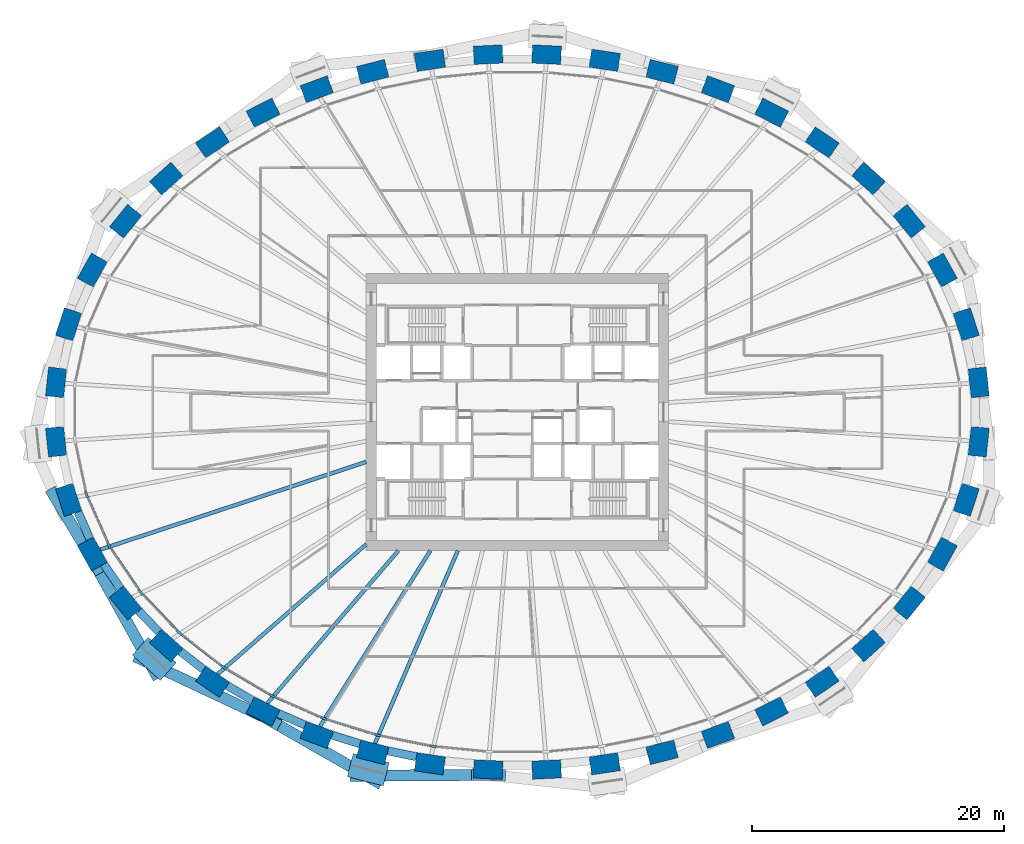
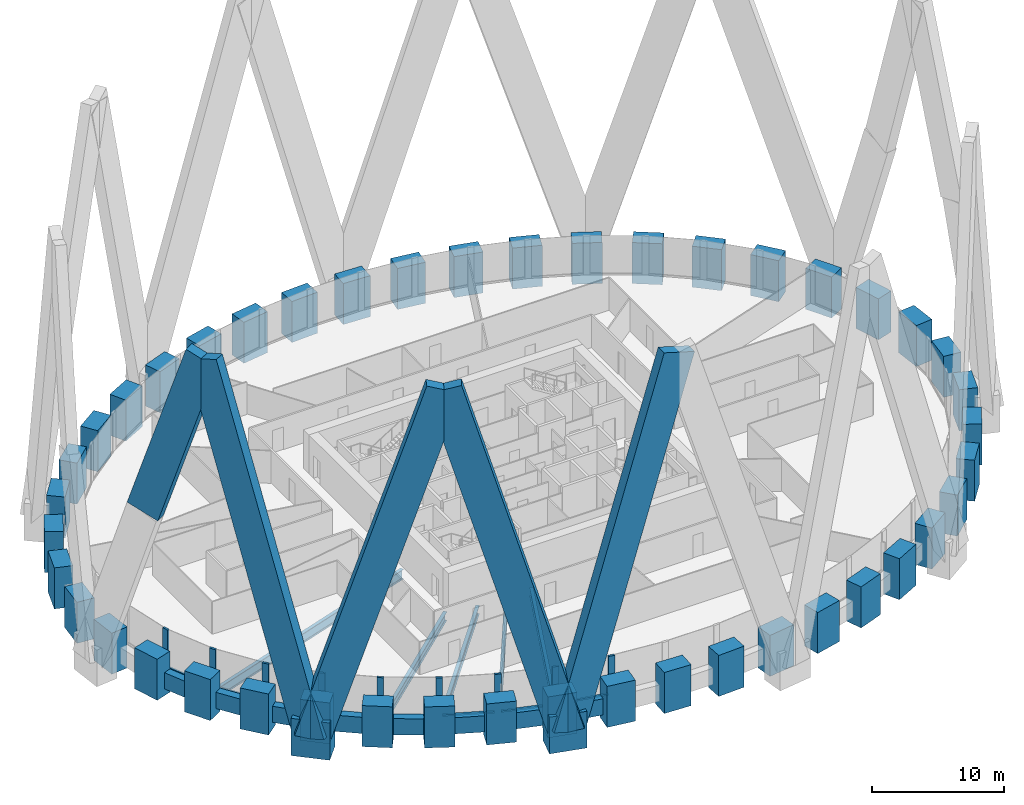
# One storey, part 1 of 12: 44 columns, 24 members, 13 beams, 1 element without a shape of its own.
"""IFC4 building model written with IfcOpenShell, lengths in metres."""

import ifcopenshell
import ifcopenshell.guid

model = None  # the IFC model being written
_history = None  # IfcOwnerHistory: only IFC2X3 demands one
_inside = {}  # id of a spatial element -> (the spatial element, [elements in it])
_under = {}  # id of a project, library or spatial element -> (it, [spatial elements below it])
_declared = {}  # id of a project -> (the project, [libraries it declares])
_typed = {}  # id of a type object -> (the type object, [elements of that type])
_made_of = {}  # id of a material, layer set ... -> (it, [elements and type objects made of it])


def new_model(schema):
    """Start an empty IFC model of exactly this schema.

    Asked for "IFC4X3", IfcOpenShell would pick the latest addendum, in which some entities
    have other attributes; the version numbers below select the first issue.
    IFC2X3 requires an IfcOwnerHistory on every rooted entity: one is made here for all.
    """
    global model, _history
    if schema == "IFC4X3":
        model = ifcopenshell.file(schema_version=(4, 3, 0, 0))
    else:
        model = ifcopenshell.file(schema=schema)
    _inside.clear()
    _under.clear()
    _declared.clear()
    _typed.clear()
    _made_of.clear()
    _history = None
    if model.schema == "IFC2X3":
        org = make("IfcOrganization", Name="unknown")
        user = make(
            "IfcPersonAndOrganization",
            ThePerson=make("IfcPerson", FamilyName="unknown"),
            TheOrganization=org,
        )
        app = make(
            "IfcApplication",
            ApplicationDeveloper=org,
            Version="unknown",
            ApplicationFullName="unknown",
            ApplicationIdentifier="unknown",
        )
        _history = make(
            "IfcOwnerHistory",
            OwningUser=user,
            OwningApplication=app,
            ChangeAction="ADDED",
            CreationDate=0,
        )
    return model


def make(cls, **values):
    """One entity of the class cls with the attributes given. An attribute that is None is left unset."""
    return model.create_entity(
        cls, **{name: value for name, value in values.items() if value is not None}
    )


def rooted(cls, **values):
    """An entity with a GlobalId (a new one), such as an element, a storey or a relation."""
    return make(cls, GlobalId=ifcopenshell.guid.new(), OwnerHistory=_history, **values)


def si_unit(unit_type, name, prefix=None):
    """IfcSIUnit, for example si_unit("LENGTHUNIT", "METRE", prefix="MILLI")."""
    return make("IfcSIUnit", UnitType=unit_type, Prefix=prefix, Name=name)


def assignment(units):
    """IfcUnitAssignment: the units of a project."""
    return None if units is None else make("IfcUnitAssignment", Units=units)


def point(xyz):
    """IfcCartesianPoint."""
    return None if xyz is None else make("IfcCartesianPoint", Coordinates=xyz)


def direction(xyz):
    """IfcDirection."""
    return None if xyz is None else make("IfcDirection", DirectionRatios=xyz)


def frame(location, z_axis=None, x_axis=None):
    """IfcAxis2Placement3D, a coordinate frame: its origin and axes. An axis left out is left unset."""
    return make(
        "IfcAxis2Placement3D",
        Location=point(location),
        Axis=direction(z_axis),
        RefDirection=direction(x_axis),
    )


def frame_2d(location, x_axis=None):
    """IfcAxis2Placement2D, a coordinate frame in the plane: its origin and x axis."""
    return make(
        "IfcAxis2Placement2D", Location=point(location), RefDirection=direction(x_axis)
    )


def origin():
    """The frame at (0, 0, 0) with its axes left unset."""
    return frame((0.0, 0.0, 0.0))


def origin_2d():
    """The frame at (0, 0) in the plane with its x axis left unset."""
    return frame_2d((0.0, 0.0))


def place(relative_to, where):
    """IfcLocalPlacement: puts the frame where relative to a parent placement (None: the world)."""
    return make(
        "IfcLocalPlacement", PlacementRelTo=relative_to, RelativePlacement=where
    )


def context(
    kind, dimensions, precision=None, world=None, true_north=None, identifier=None
):
    """IfcGeometricRepresentationContext, for example the 3D "Model" context."""
    return make(
        "IfcGeometricRepresentationContext",
        ContextIdentifier=identifier,
        ContextType=kind,
        CoordinateSpaceDimension=dimensions,
        Precision=precision,
        WorldCoordinateSystem=world,
        TrueNorth=true_north,
    )


def subcontext(parent, identifier, kind, view, scale=None):
    """IfcGeometricRepresentationSubContext, for example "Body" below "Model"."""
    return make(
        "IfcGeometricRepresentationSubContext",
        ContextIdentifier=identifier,
        ContextType=kind,
        ParentContext=parent,
        TargetScale=scale,
        TargetView=view,
    )


def project(units=None, contexts=None):
    """IfcProject with its units and contexts."""
    return rooted(
        "IfcProject",
        Name="project",
        RepresentationContexts=contexts,
        UnitsInContext=assignment(units),
    )


def spatial(cls, under=None, at=None, **own):
    """A site, building, storey or space (cls), placed at a placement, below another one or the project."""
    s = rooted(cls, ObjectPlacement=at, **own)
    if under is not None:
        _under.setdefault(under.id(), (under, []))[1].append(s)
    return s


def profile(cls, at=None, kind="AREA", **sizes):
    """A parametric profile (cls). Its sizes go by their IFC names, for example OverallWidth=200.0."""
    return make(cls, ProfileType=kind, Position=at, **sizes)


def rectangle(**sizes):
    """IfcRectangleProfileDef."""
    return profile("IfcRectangleProfileDef", **sizes)


def i_section(**sizes):
    """IfcIShapeProfileDef."""
    return profile("IfcIShapeProfileDef", **sizes)


def extrude(swept, where, along, depth):
    """IfcExtrudedAreaSolid: the profile swept, set in the frame where, extruded along a direction by depth."""
    return make(
        "IfcExtrudedAreaSolid",
        SweptArea=swept,
        Position=where,
        ExtrudedDirection=direction(along),
        Depth=depth,
    )


def shape(context_of_items, identifier, shape_type, items):
    """IfcShapeRepresentation: the items that make up one representation, for example the "Body"."""
    return make(
        "IfcShapeRepresentation",
        ContextOfItems=context_of_items,
        RepresentationIdentifier=identifier,
        RepresentationType=shape_type,
        Items=items,
    )


def source(mapping_origin, context_of_items, identifier, shape_type, items):
    """IfcRepresentationMap: a shape defined once, which mapped items show again and again."""
    return make(
        "IfcRepresentationMap",
        MappingOrigin=mapping_origin,
        MappedRepresentation=shape(context_of_items, identifier, shape_type, items),
    )


def transform(
    local_origin,
    x_axis=None,
    y_axis=None,
    z_axis=None,
    scale=None,
    scale2=None,
    scale3=None,
    uniform=True,
):
    """IfcCartesianTransformationOperator3D, or its non-uniform kind. x_axis, y_axis, z_axis: its Axis1, 2, 3."""
    if uniform:
        return make(
            "IfcCartesianTransformationOperator3D",
            Axis1=direction(x_axis),
            Axis2=direction(y_axis),
            LocalOrigin=point(local_origin),
            Scale=scale,
            Axis3=direction(z_axis),
        )
    return make(
        "IfcCartesianTransformationOperator3DnonUniform",
        Axis1=direction(x_axis),
        Axis2=direction(y_axis),
        LocalOrigin=point(local_origin),
        Scale=scale,
        Axis3=direction(z_axis),
        Scale2=scale2,
        Scale3=scale3,
    )


def mapped(mapping_source, mapping_target):
    """IfcMappedItem: shows the shape of a source again, moved by a transform."""
    return make(
        "IfcMappedItem", MappingSource=mapping_source, MappingTarget=mapping_target
    )


def material(Name=None, Category=None):
    """IfcMaterial."""
    return make("IfcMaterial", Name=Name, Category=Category)


def material_profile(
    of_material, cross_section, Name=None, Category=None, Priority=None
):
    """IfcMaterialProfile: a cross section and its material."""
    return make(
        "IfcMaterialProfile",
        Name=Name,
        Material=of_material,
        Profile=cross_section,
        Priority=Priority,
        Category=Category,
    )


def profile_set(profiles, Name=None, composite=None):
    """IfcMaterialProfileSet."""
    return make(
        "IfcMaterialProfileSet",
        Name=Name,
        MaterialProfiles=profiles,
        CompositeProfile=composite,
    )


def made_of(thing, what):
    """Note that an element or type object is made of a material, layer set ...; save() writes the relation."""
    if what is not None:
        _made_of.setdefault(what.id(), (what, []))[1].append(thing)
    return thing


def type_object(cls, material=None, **own):
    """A type object (cls), such as IfcWallType, which elements share."""
    return made_of(rooted(cls, **own), material)


def element(
    cls,
    number,
    at=None,
    inside=None,
    cuts=None,
    type_object=None,
    material=None,
    context=None,
    identifier="Body",
    shape_type=None,
    held_by="IfcProductDefinitionShape",
    body=None,
    shapes=None,
    **own,
):
    """One element of the class cls, such as IfcWall. Its Tag is "e" and its number.

    at: its placement. inside: the storey or other place that contains it. cuts: it is an
    opening in that element (IfcRelVoidsElement). A single representation is given by context,
    identifier, shape_type and body (its items); several are given by shapes. held_by: the class
    of the entity that holds the representations. save() writes the other relations.
    """
    e = rooted(cls, Tag="e%d" % number, ObjectPlacement=at, **own)
    if body is not None:
        shapes = [shape(context, identifier, shape_type, body)]
    if shapes is not None:
        e.Representation = make(held_by, Representations=shapes)
    if inside is not None:
        _inside.setdefault(inside.id(), (inside, []))[1].append(e)
    if cuts is not None:
        rooted(
            "IfcRelVoidsElement", RelatingBuildingElement=cuts, RelatedOpeningElement=e
        )
    if type_object is not None:
        _typed.setdefault(type_object.id(), (type_object, []))[1].append(e)
    return made_of(e, material)


def aggregate(whole, parts):
    """IfcRelAggregates: a whole, such as a stair, and the parts it consists of."""
    return rooted("IfcRelAggregates", RelatingObject=whole, RelatedObjects=parts)


def save(model, path):
    """Write the relations noted so far, then the file.

    IfcRelAggregates (storeys below a building ...), IfcRelContainedInSpatialStructure (elements
    in a storey), IfcRelDefinesByType, IfcRelAssociatesMaterial and IfcRelDeclares: one each for
    every whole, place, type object, material and project.
    """
    for whole, parts in _under.values():
        aggregate(whole, parts)
    for where, things in _inside.values():
        rooted(
            "IfcRelContainedInSpatialStructure",
            RelatedElements=things,
            RelatingStructure=where,
        )
    for kind, things in _typed.values():
        rooted("IfcRelDefinesByType", RelatedObjects=things, RelatingType=kind)
    for what, things in _made_of.values():
        rooted("IfcRelAssociatesMaterial", RelatedObjects=things, RelatingMaterial=what)
    for by, libraries in _declared.values():
        rooted("IfcRelDeclares", RelatingContext=by, RelatedDefinitions=libraries)
    model.write(path)


model = new_model("IFC4")

# Units and contexts
model_context = context("Model", 3, precision=1e-05, world=origin(), true_north=direction((0.0, 1.0)))
body_context = subcontext(model_context, "Body", "Model", "MODEL_VIEW")
ifc_project = project(units=[si_unit("LENGTHUNIT", "METRE"), si_unit("AREAUNIT", "SQUARE_METRE"), si_unit("VOLUMEUNIT", "CUBIC_METRE"), si_unit("PLANEANGLEUNIT", "RADIAN"), si_unit("MASSUNIT", "GRAM", prefix="KILO")], contexts=[model_context])

# Site, building, storey
site_placement = place(None, origin())
site = spatial("IfcSite", under=ifc_project, at=site_placement, CompositionType="ELEMENT")
building_placement = place(site_placement, origin())
building = spatial("IfcBuilding", under=site, at=building_placement, Name="Embergate Tower", CompositionType="ELEMENT")
storey_placement = place(building_placement, frame((0.0, 0.0, 191.10009765625)))
storey = spatial("IfcBuildingStorey", under=building, at=storey_placement, Name="L43", CompositionType="ELEMENT", Elevation=191.10009765625)

# Columns
ifc_material_1 = material(Name="Concrete C70", Category="concrete")
ifc_material_profile_1 = material_profile(ifc_material_1, rectangle(XDim=1.449951171875, YDim=2.300048828125, at=origin_2d()), Name="RC 1450x2300")
ifc_profile_set_1 = profile_set([ifc_material_profile_1], Name="Concrete C70")
column_type = type_object("IfcColumnType", Name="Ring column RC 1450x2300 C70", PredefinedType="COLUMN", material=ifc_profile_set_1)
shared_shape_1 = source(origin(), body_context, "Body", "SweptSolid", [
    extrude(rectangle(XDim=1.449951171875, YDim=2.300048828125, at=origin_2d()), origin(), (0.0, 0.0, 1.0), 3.800048828125),
])
for number, where, z_axis, x_axis, name in (
    (1, (36.626953125, 2.35791015625, -1.400146484375), (0.0, 0.0, 1.0), (0.99428589498, 0.106749983816, 0.0), "COL-L43-00"),
    (2, (35.635009765625, 6.966064453125, -1.400146484375), (0.0, 0.0, 1.0), (0.950754033697, 0.309946394413, 0.0), "COL-L43-01"),
    (3, (33.74609375, 11.27294921875, -1.400146484375), (0.0, 0.0, 1.0), (0.873500465855, 0.486823311018, 0.0), "COL-L43-02"),
    (4, (31.10888671875, 15.152099609375, -1.400146484375), (0.0, 0.0, 1.0), (0.775925311702, 0.630824786022, 0.0), "COL-L43-03"),
    (5, (27.8798828125, 18.5380859375, -1.400146484375), (0.0, 0.0, 1.0), (0.669208424634, 0.74307475021, 0.0), "COL-L43-04"),
    (6, (24.200927734375, 21.409912109375, -1.400146484375), (0.0, 0.0, 1.0), (0.560393279442, 0.828226643109, 0.0), "COL-L43-05"),
    (7, (20.18603515625, 23.77099609375, -1.400146484375), (0.0, 0.0, 1.0), (0.453010512651, 0.891505174089, 0.0), "COL-L43-06"),
    (8, (15.925048828125, 25.634033203125, -1.400146484375), (0.0, 0.0, 1.0), (0.348343015724, 0.93736713373, 0.0), "COL-L43-07"),
    (9, (11.489013671875, 27.01611328125, -1.400146484375), (0.0, 0.0, 1.0), (0.24650851817, 0.969140624713, 0.0), "COL-L43-08"),
    (10, (6.93798828125, 27.927978515625, -1.400146484375), (0.0, 0.0, 1.0), (0.146929011949, 0.989147039346, 0.0), "COL-L43-09"),
    (11, (2.320068359375, 28.382080078125, -1.400146484375), (0.0, 0.0, 1.0), (0.048814904854, 0.998807841912, 0.0), "COL-L43-10"),
    (12, (-2.320068359375, 28.382080078125, -1.400146484375), (0.0, 0.0, 1.0), (-0.048814904854, 0.998807841912, 0.0), "COL-L43-11"),
    (13, (-6.93798828125, 27.927978515625, -1.400146484375), (0.0, 0.0, 1.0), (-0.146929011949, 0.989147039346, 0.0), "COL-L43-12"),
    (14, (-11.489013671875, 27.01611328125, -1.400146484375), (0.0, 0.0, 1.0), (-0.24650851817, 0.969140624713, 0.0), "COL-L43-13"),
    (15, (-15.925048828125, 25.634033203125, -1.400146484375), (0.0, 0.0, 1.0), (-0.348343015724, 0.93736713373, 0.0), "COL-L43-14"),
    (16, (-20.18603515625, 23.77099609375, -1.400146484375), (0.0, 0.0, 1.0), (-0.453010512651, 0.891505174089, 0.0), "COL-L43-15"),
    (17, (-24.200927734375, 21.409912109375, -1.400146484375), (0.0, 0.0, 1.0), (-0.560393279442, 0.828226643109, 0.0), "COL-L43-16"),
    (18, (-27.8798828125, 18.5380859375, -1.400146484375), (0.0, 0.0, 1.0), (-0.669208424634, 0.74307475021, 0.0), "COL-L43-17"),
    (19, (-31.10888671875, 15.152099609375, -1.400146484375), (0.0, 0.0, 1.0), (-0.775925311702, 0.630824786022, 0.0), "COL-L43-18"),
    (20, (-33.74609375, 11.27294921875, -1.400146484375), (0.0, 0.0, 1.0), (-0.873500465855, 0.486823311018, 0.0), "COL-L43-19"),
    (21, (-35.635009765625, 6.966064453125, -1.400146484375), (0.0, 0.0, 1.0), (-0.950754033697, 0.309946394413, 0.0), "COL-L43-20"),
    (22, (-36.626953125, 2.35791015625, -1.400146484375), (0.0, 0.0, 1.0), (-0.99428589498, 0.106749983816, 0.0), "COL-L43-21"),
    (23, (-36.626953125, -2.35791015625, -1.400146484375), (0.0, 0.0, 1.0), (-0.99428589498, -0.106749983816, 0.0), "COL-L43-22"),
    (24, (-35.635009765625, -6.966064453125, -1.400146484375), (0.0, 0.0, 1.0), (-0.950754033697, -0.309946394413, 0.0), "COL-L43-23"),
    (25, (-33.74609375, -11.27294921875, -1.400146484375), (0.0, 0.0, 1.0), (-0.873500465855, -0.486823311018, 0.0), "COL-L43-24"),
    (26, (-31.10888671875, -15.152099609375, -1.400146484375), (0.0, 0.0, 1.0), (-0.775925311702, -0.630824786022, 0.0), "COL-L43-25"),
    (27, (-27.8798828125, -18.5380859375, -1.400146484375), (0.0, 0.0, 1.0), (-0.669208424634, -0.74307475021, 0.0), "COL-L43-26"),
    (28, (-24.200927734375, -21.409912109375, -1.400146484375), (0.0, 0.0, 1.0), (-0.560393279442, -0.828226643109, 0.0), "COL-L43-27"),
    (29, (-20.18603515625, -23.77099609375, -1.400146484375), (0.0, 0.0, 1.0), (-0.453010512651, -0.891505174089, 0.0), "COL-L43-28"),
    (30, (-15.925048828125, -25.634033203125, -1.400146484375), (0.0, 0.0, 1.0), (-0.348343015724, -0.93736713373, 0.0), "COL-L43-29"),
    (31, (-11.489013671875, -27.01611328125, -1.400146484375), (0.0, 0.0, 1.0), (-0.24650851817, -0.969140624713, 0.0), "COL-L43-30"),
    (32, (-6.93798828125, -27.927978515625, -1.400146484375), (0.0, 0.0, 1.0), (-0.146929011949, -0.989147039346, 0.0), "COL-L43-31"),
    (33, (-2.320068359375, -28.382080078125, -1.400146484375), (0.0, 0.0, 1.0), (-0.048814904854, -0.998807841912, 0.0), "COL-L43-32"),
    (34, (2.320068359375, -28.382080078125, -1.400146484375), (0.0, 0.0, 1.0), (0.048814904854, -0.998807841912, 0.0), "COL-L43-33"),
    (35, (6.93798828125, -27.927978515625, -1.400146484375), (0.0, 0.0, 1.0), (0.146929011949, -0.989147039346, 0.0), "COL-L43-34"),
    (36, (11.489013671875, -27.01611328125, -1.400146484375), (0.0, 0.0, 1.0), (0.24650851817, -0.969140624713, 0.0), "COL-L43-35"),
    (37, (15.925048828125, -25.634033203125, -1.400146484375), (0.0, 0.0, 1.0), (0.348343015724, -0.93736713373, 0.0), "COL-L43-36"),
    (38, (20.18603515625, -23.77099609375, -1.400146484375), (0.0, 0.0, 1.0), (0.453010512651, -0.891505174089, 0.0), "COL-L43-37"),
    (39, (24.200927734375, -21.409912109375, -1.400146484375), (0.0, 0.0, 1.0), (0.560393279442, -0.828226643109, 0.0), "COL-L43-38"),
    (40, (27.8798828125, -18.5380859375, -1.400146484375), (0.0, 0.0, 1.0), (0.669208424634, -0.74307475021, 0.0), "COL-L43-39"),
    (41, (31.10888671875, -15.152099609375, -1.400146484375), (0.0, 0.0, 1.0), (0.775925311702, -0.630824786022, 0.0), "COL-L43-40"),
    (42, (33.74609375, -11.27294921875, -1.400146484375), (0.0, 0.0, 1.0), (0.873500465855, -0.486823311018, 0.0), "COL-L43-41"),
    (43, (35.635009765625, -6.966064453125, -1.400146484375), (0.0, 0.0, 1.0), (0.950754033697, -0.309946394413, 0.0), "COL-L43-42"),
    (44, (36.626953125, -2.35791015625, -1.400146484375), (0.0, 0.0, 1.0), (0.99428589498, -0.106749983816, 0.0), "COL-L43-43"),
):
    element("IfcColumn", number, at=place(storey_placement, frame(where, z_axis=z_axis, x_axis=x_axis)), inside=storey, type_object=column_type, Name=name, PredefinedType="COLUMN", context=body_context, shape_type="MappedRepresentation", body=[
        mapped(shared_shape_1, transform((0.0, 0.0, 0.0))),
    ])

# Beams
ifc_material_profile_2 = material_profile(ifc_material_1, rectangle(XDim=0.64990234375, YDim=1.5, at=origin_2d()), Name="RC 650x1500")
ifc_profile_set_2 = profile_set([ifc_material_profile_2], Name="Concrete C70")
beam_type_1 = type_object("IfcBeamType", Name="Spandrel beam RC 650x1500 C70", PredefinedType="BEAM", material=ifc_profile_set_2)
shared_shape_2 = source(origin(), body_context, "Body", "SweptSolid", [
    extrude(rectangle(XDim=0.64990234375, YDim=1.5, at=origin_2d()), origin(), (0.0, 0.0, 1.0), 2.3349609375),
])
beam_1_placement = place(storey_placement, frame((-34.887939453125, -7.931884765625, 0.0), z_axis=(0.401729187016, -0.915758516368, 0.0), x_axis=(0.915758516368, 0.401729187016, 0.0)))
element("IfcBeam", 45, at=beam_1_placement, inside=storey, type_object=beam_type_1, Name="SPN-L43-23", PredefinedType="BEAM", context=body_context, shape_type="MappedRepresentation", body=[
    mapped(shared_shape_2, transform((0.0, 0.0, 0.0))),
])
shared_shape_3 = source(origin(), body_context, "Body", "SweptSolid", [
    extrude(rectangle(XDim=0.64990234375, YDim=1.5, at=origin_2d()), origin(), (0.0, 0.0, 1.0), 2.329345703125),
])
beam_2_placement = place(storey_placement, frame((-32.8359375, -12.0830078125, 0.0), z_axis=(0.562416089232, -0.826854366, 0.0), x_axis=(0.826854366, 0.562416089232, 0.0)))
element("IfcBeam", 46, at=beam_2_placement, inside=storey, type_object=beam_type_1, Name="SPN-L43-24", PredefinedType="BEAM", context=body_context, shape_type="MappedRepresentation", body=[
    mapped(shared_shape_3, transform((0.0, 0.0, 0.0))),
])
shared_shape_4 = source(origin(), body_context, "Body", "SweptSolid", [
    extrude(rectangle(XDim=0.64990234375, YDim=1.5, at=origin_2d()), origin(), (0.0, 0.0, 1.0), 2.322265625),
])
beam_3_placement = place(storey_placement, frame((-30.06591796875, -15.785888671875, 0.0), z_axis=(0.690300694886, -0.723522598569, 0.0), x_axis=(0.723522598569, 0.690300694886, 0.0)))
element("IfcBeam", 47, at=beam_3_placement, inside=storey, type_object=beam_type_1, Name="SPN-L43-25", PredefinedType="BEAM", context=body_context, shape_type="MappedRepresentation", body=[
    mapped(shared_shape_4, transform((0.0, 0.0, 0.0))),
])
shared_shape_5 = source(origin(), body_context, "Body", "SweptSolid", [
    extrude(rectangle(XDim=0.64990234375, YDim=1.5, at=origin_2d()), origin(), (0.0, 0.0, 1.0), 2.31787109375),
])
beam_4_placement = place(storey_placement, frame((-26.758056640625, -19.010009765625, 0.0), z_axis=(0.788324506127, -0.615259679354, 0.0), x_axis=(0.615259679354, 0.788324506127, 0.0)))
element("IfcBeam", 48, at=beam_4_placement, inside=storey, type_object=beam_type_1, Name="SPN-L43-26", PredefinedType="BEAM", context=body_context, shape_type="MappedRepresentation", body=[
    mapped(shared_shape_5, transform((0.0, 0.0, 0.0))),
])
shared_shape_6 = source(origin(), body_context, "Body", "SweptSolid", [
    extrude(rectangle(XDim=0.64990234375, YDim=1.5, at=origin_2d()), origin(), (0.0, 0.0, 1.0), 2.31298828125),
])
beam_5_placement = place(storey_placement, frame((-23.029052734375, -21.72998046875, 0.0), z_axis=(0.86210510292, -0.506729505279, 0.0), x_axis=(0.506729505279, 0.86210510292, 0.0)))
element("IfcBeam", 49, at=beam_5_placement, inside=storey, type_object=beam_type_1, Name="SPN-L43-27", PredefinedType="BEAM", context=body_context, shape_type="MappedRepresentation", body=[
    mapped(shared_shape_6, transform((0.0, 0.0, 0.0))),
])
shared_shape_7 = source(origin(), body_context, "Body", "SweptSolid", [
    extrude(rectangle(XDim=0.64990234375, YDim=1.5, at=origin_2d()), origin(), (0.0, 0.0, 1.0), 2.30810546875),
])
beam_6_placement = place(storey_placement, frame((-18.97705078125, -23.929931640625, 0.0), z_axis=(0.91635386748, -0.40036931645, 0.0), x_axis=(0.40036931645, 0.91635386748, 0.0)))
element("IfcBeam", 50, at=beam_6_placement, inside=storey, type_object=beam_type_1, Name="SPN-L43-28", PredefinedType="BEAM", context=body_context, shape_type="MappedRepresentation", body=[
    mapped(shared_shape_7, transform((0.0, 0.0, 0.0))),
])
shared_shape_8 = source(origin(), body_context, "Body", "SweptSolid", [
    extrude(rectangle(XDim=0.64990234375, YDim=1.5, at=origin_2d()), origin(), (0.0, 0.0, 1.0), 2.306640625),
])
beam_7_placement = place(storey_placement, frame((-14.70703125, -25.657958984375, 0.0), z_axis=(0.954743281812, -0.297431111074, 0.0), x_axis=(0.297431111074, 0.954743281812, 0.0)))
element("IfcBeam", 51, at=beam_7_placement, inside=storey, type_object=beam_type_1, Name="SPN-L43-29", PredefinedType="BEAM", context=body_context, shape_type="MappedRepresentation", body=[
    mapped(shared_shape_8, transform((0.0, 0.0, 0.0))),
])
shared_shape_9 = source(origin(), body_context, "Body", "SweptSolid", [
    extrude(rectangle(XDim=0.64990234375, YDim=1.5, at=origin_2d()), origin(), (0.0, 0.0, 1.0), 2.3037109375),
])
beam_8_placement = place(storey_placement, frame((-10.27587890625, -26.9130859375, 0.0), z_axis=(0.980486815957, -0.196584851232, 0.0), x_axis=(0.196584851232, 0.980486815957, 0.0)))
element("IfcBeam", 52, at=beam_8_placement, inside=storey, type_object=beam_type_1, Name="SPN-L43-30", PredefinedType="BEAM", context=body_context, shape_type="MappedRepresentation", body=[
    mapped(shared_shape_9, transform((0.0, 0.0, 0.0))),
])
ifc_material_2 = material(Name="Steel Q355B", Category="steel")
ifc_material_profile_3 = material_profile(ifc_material_2, i_section(OverallWidth=0.300048828125, OverallDepth=0.89990234375, WebThickness=0.01611328125, FlangeThickness=0.028076171875, FilletRadius=0.028076171875, at=origin_2d()), Name="HN 900x300x16x28")
ifc_profile_set_3 = profile_set([ifc_material_profile_3], Name="Steel Q355 grade B")
beam_type_2 = type_object("IfcBeamType", Name="Radial girder HN 900x300x16x28", PredefinedType="BEAM", material=ifc_profile_set_3)
shared_shape_10 = source(origin(), body_context, "Body", "SweptSolid", [
    extrude(i_section(OverallWidth=0.300048828125, OverallDepth=0.89990234375, WebThickness=0.01611328125, FlangeThickness=0.028076171875, FilletRadius=0.028076171875, at=origin_2d()), origin(), (0.0, 0.0, 1.0), 22.2314453125),
])
beam_9_placement = place(storey_placement, frame((-33.113037109375, -10.919921875, -0.650146484375), z_axis=(0.949687686315, 0.313198496903, 0.0), x_axis=(-0.313198496903, 0.949687686315, 0.0)))
element("IfcBeam", 53, at=beam_9_placement, inside=storey, type_object=beam_type_2, Name="GIR-L43-24", PredefinedType="BEAM", context=body_context, shape_type="MappedRepresentation", body=[
    mapped(shared_shape_10, transform((0.0, 0.0, 0.0))),
])
ifc_material_profile_4 = material_profile(ifc_material_2, i_section(OverallWidth=0.300048828125, OverallDepth=0.800048828125, WebThickness=0.013916015625, FlangeThickness=0.02587890625, FilletRadius=0.028076171875, at=origin_2d()), Name="HN 800x300x14x26")
ifc_profile_set_4 = profile_set([ifc_material_profile_4], Name="Steel Q355 grade B")
beam_type_3 = type_object("IfcBeamType", Name="Radial girder HN 800x300x14x26", PredefinedType="BEAM", material=ifc_profile_set_4)
shared_shape_11 = source(origin(), body_context, "Body", "SweptSolid", [
    extrude(i_section(OverallWidth=0.300048828125, OverallDepth=0.800048828125, WebThickness=0.013916015625, FlangeThickness=0.02587890625, FilletRadius=0.028076171875, at=origin_2d()), origin(), (0.0, 0.0, 1.0), 15.6689453125),
])
beam_10_placement = place(storey_placement, frame((-23.794921875, -20.81005859375, -0.60009765625), z_axis=(0.752754264338, 0.658301615919, 0.0), x_axis=(-0.658301615919, 0.752754264338, 0.0)))
element("IfcBeam", 54, at=beam_10_placement, inside=storey, type_object=beam_type_3, Name="GIR-L43-27", PredefinedType="BEAM", context=body_context, shape_type="MappedRepresentation", body=[
    mapped(shared_shape_11, transform((0.0, 0.0, 0.0))),
])
shared_shape_12 = source(origin(), body_context, "Body", "SweptSolid", [
    extrude(i_section(OverallWidth=0.300048828125, OverallDepth=0.800048828125, WebThickness=0.013916015625, FlangeThickness=0.02587890625, FilletRadius=0.028076171875, at=origin_2d()), origin(), (0.0, 0.0, 1.0), 15.98193359375),
])
beam_11_placement = place(storey_placement, frame((-19.85791015625, -23.125, -0.60009765625), z_axis=(0.651476732158, 0.758668615047, 0.0), x_axis=(-0.758668615047, 0.651476732158, 0.0)))
element("IfcBeam", 55, at=beam_11_placement, inside=storey, type_object=beam_type_3, Name="GIR-L43-28", PredefinedType="BEAM", context=body_context, shape_type="MappedRepresentation", body=[
    mapped(shared_shape_12, transform((0.0, 0.0, 0.0))),
])
shared_shape_13 = source(origin(), body_context, "Body", "SweptSolid", [
    extrude(i_section(OverallWidth=0.300048828125, OverallDepth=0.800048828125, WebThickness=0.013916015625, FlangeThickness=0.02587890625, FilletRadius=0.028076171875, at=origin_2d()), origin(), (0.0, 0.0, 1.0), 16.47802734375),
])
beam_12_placement = place(storey_placement, frame((-15.672119140625, -24.9541015625, -0.60009765625), z_axis=(0.531867473593, 0.846827603786, 0.0), x_axis=(-0.846827603786, 0.531867473593, 0.0)))
element("IfcBeam", 56, at=beam_12_placement, inside=storey, type_object=beam_type_3, Name="GIR-L43-29", PredefinedType="BEAM", context=body_context, shape_type="MappedRepresentation", body=[
    mapped(shared_shape_13, transform((0.0, 0.0, 0.0))),
])
shared_shape_14 = source(origin(), body_context, "Body", "SweptSolid", [
    extrude(i_section(OverallWidth=0.300048828125, OverallDepth=0.800048828125, WebThickness=0.013916015625, FlangeThickness=0.02587890625, FilletRadius=0.028076171875, at=origin_2d()), origin(), (0.0, 0.0, 1.0), 16.667724609375),
])
beam_13_placement = place(storey_placement, frame((-11.31005859375, -26.31298828125, -0.60009765625), z_axis=(0.394898441687, 0.918724779655, 0.0), x_axis=(-0.918724779655, 0.394898441687, 0.0)))
element("IfcBeam", 57, at=beam_13_placement, inside=storey, type_object=beam_type_3, Name="GIR-L43-30", PredefinedType="BEAM", context=body_context, shape_type="MappedRepresentation", body=[
    mapped(shared_shape_14, transform((0.0, 0.0, 0.0))),
])

# Members
ifc_material_profile_5 = material_profile(ifc_material_1, rectangle(XDim=1.89990234375, YDim=3.0, at=origin_2d()), Name="RC 1900x3000")
ifc_profile_set_5 = profile_set([ifc_material_profile_5], Name="Concrete C70")
member_type_1 = type_object("IfcMemberType", Name="Lattice node block RC 1900x3000", PredefinedType="POST", material=ifc_profile_set_5)
shared_shape_15 = source(origin(), body_context, "Body", "SweptSolid", [
    extrude(rectangle(XDim=1.89990234375, YDim=3.0, at=origin_2d()), origin(), (0.0, 0.0, 1.0), 3.449951171875),
])
member_1_placement = place(storey_placement, frame((-28.833984375, -19.596923828125, -1.72509765625), z_axis=(0.0, 0.0, 1.0), x_axis=(-0.669208424634, -0.74307475021, 0.0)))
element("IfcMember", 58, at=member_1_placement, inside=storey, type_object=member_type_1, Name="NOD-L43-26", PredefinedType="POST", context=body_context, shape_type="MappedRepresentation", body=[
    mapped(shared_shape_15, transform((0.0, 0.0, 0.0))),
])
ifc_material_profile_6 = material_profile(ifc_material_1, rectangle(XDim=1.89990234375, YDim=2.949951171875, at=origin_2d()), Name="RC 1900x2950")
ifc_profile_set_6 = profile_set([ifc_material_profile_6], Name="Concrete C70")
member_type_2 = type_object("IfcMemberType", Name="Lattice node block RC 1900x2950", PredefinedType="POST", material=ifc_profile_set_6)
shared_shape_16 = source(origin(), body_context, "Body", "SweptSolid", [
    extrude(rectangle(XDim=1.89990234375, YDim=2.949951171875, at=origin_2d()), origin(), (0.0, 0.0, 1.0), 3.400146484375),
])
member_2_placement = place(storey_placement, frame((-11.840087890625, -28.39697265625, -1.7001953125), z_axis=(0.0, 0.0, 1.0), x_axis=(-0.24650851817, -0.969140624713, 0.0)))
element("IfcMember", 59, at=member_2_placement, inside=storey, type_object=member_type_2, Name="NOD-L43-30", PredefinedType="POST", context=body_context, shape_type="MappedRepresentation", body=[
    mapped(shared_shape_16, transform((0.0, 0.0, 0.0))),
])
ifc_material_profile_7 = material_profile(ifc_material_1, rectangle(XDim=0.89990234375, YDim=2.800048828125, at=origin_2d()), Name="RC 900x2800")
ifc_profile_set_7 = profile_set([ifc_material_profile_7], Name="Concrete C70")
member_type_3 = type_object("IfcMemberType", Name="Lattice diagonal terracotta-faced RC 900x2800", PredefinedType="BRACE", material=ifc_profile_set_7)
shared_shape_17 = source(origin(), body_context, "Body", "SweptSolid", [
    extrude(rectangle(XDim=0.89990234375, YDim=2.800048828125, at=origin_2d()), origin(), (0.0, 0.0, 1.0), 16.701904296875),
])
member_3_placement = place(storey_placement, frame((-36.409912109375, -7.256103515625, 15.89990234375), z_axis=(0.157284756161, -0.26266261928, 0.951982065961), x_axis=(0.857943372636, 0.513744264542, 0.0)))
element("IfcMember", 60, at=member_3_placement, inside=storey, type_object=member_type_3, Name="BRC-L43-22-24-S01", PredefinedType="BRACE", context=body_context, shape_type="MappedRepresentation", body=[
    mapped(shared_shape_17, transform((0.0, 0.0, 0.0))),
])
shared_shape_18 = source(origin(), body_context, "Body", "SweptSolid", [
    extrude(rectangle(XDim=0.89990234375, YDim=2.800048828125, at=origin_2d()), origin(), (0.0, 0.0, 1.0), 33.193115234375),
])
member_4_placement = place(storey_placement, frame((-29.1640625, -19.962890625, 0.0), z_axis=(-0.139152348056, 0.250649279404, 0.958024823668), x_axis=(-0.874301249494, -0.485383688573, 0.0)))
element("IfcMember", 61, at=member_4_placement, inside=storey, type_object=member_type_3, Name="BRC-L43-26-24-S00", PredefinedType="BRACE", context=body_context, shape_type="MappedRepresentation", body=[
    mapped(shared_shape_18, transform((0.0, 0.0, 0.0))),
])
shared_shape_19 = source(origin(), body_context, "Body", "SweptSolid", [
    extrude(rectangle(XDim=0.89990234375, YDim=2.800048828125, at=origin_2d()), origin(), (0.0, 0.0, 1.0), 33.35595703125),
])
member_5_placement = place(storey_placement, frame((-29.1640625, -19.962890625, 0.0), z_axis=(0.273206591883, -0.128380090059, 0.953350256007), x_axis=(0.425287856031, 0.905058141509, 0.0)))
element("IfcMember", 62, at=member_5_placement, inside=storey, type_object=member_type_3, Name="BRC-L43-26-28-S00", PredefinedType="BRACE", context=body_context, shape_type="MappedRepresentation", body=[
    mapped(shared_shape_19, transform((0.0, 0.0, 0.0))),
])
shared_shape_20 = source(origin(), body_context, "Body", "SweptSolid", [
    extrude(rectangle(XDim=0.89990234375, YDim=2.800048828125, at=origin_2d()), origin(), (0.0, 0.0, 1.0), 33.137451171875),
])
member_6_placement = place(storey_placement, frame((-11.9619140625, -28.8740234375, 0.0), z_axis=(-0.244108119574, 0.139688224644, 0.959634527231), x_axis=(-0.496669206616, -0.867939916814, 0.0)))
element("IfcMember", 63, at=member_6_placement, inside=storey, type_object=member_type_3, Name="BRC-L43-30-28-S00", PredefinedType="BRACE", context=body_context, shape_type="MappedRepresentation", body=[
    mapped(shared_shape_20, transform((0.0, 0.0, 0.0))),
])
shared_shape_21 = source(origin(), body_context, "Body", "SweptSolid", [
    extrude(rectangle(XDim=0.89990234375, YDim=2.800048828125, at=origin_2d()), origin(), (0.0, 0.0, 1.0), 33.236083984375),
])
member_7_placement = place(storey_placement, frame((-11.9619140625, -28.8740234375, 0.0), z_axis=(0.290791862678, 0.001953940321, 0.956784340757), x_axis=(-0.006719225889, 0.999977425747, 0.0)))
element("IfcMember", 64, at=member_7_placement, inside=storey, type_object=member_type_3, Name="BRC-L43-30-32-S00", PredefinedType="BRACE", context=body_context, shape_type="MappedRepresentation", body=[
    mapped(shared_shape_21, transform((0.0, 0.0, 0.0))),
])

# Curtain wall, members
ifc_material_3 = material(Name="Aluminium and glass", Category="aluminium")
curtain_wall_type = type_object("IfcCurtainWallType", Name="Recessed office glazing", PredefinedType="NOTDEFINED", material=ifc_material_3)
curtain_wall_placement = place(storey_placement, origin())
curtain_wall = element("IfcCurtainWall", 65, at=curtain_wall_placement, inside=storey, type_object=curtain_wall_type, Name="Recessed office glazing ring", ObjectType="RECESSED OFFICE GLAZING", PredefinedType="USERDEFINED")
ifc_material_4 = material(Name="Aluminium, thermally broken", Category="aluminium")
ifc_material_profile_8 = material_profile(ifc_material_4, rectangle(XDim=0.179931640625, YDim=0.52001953125, at=origin_2d()), Name="AL 520x180")
ifc_profile_set_8 = profile_set([ifc_material_profile_8], Name="Aluminium, thermally broken")
member_type_4 = type_object("IfcMemberType", Name="Office mullion", PredefinedType="MULLION", material=ifc_profile_set_8)
shared_shape_22 = source(origin(), body_context, "Body", "SweptSolid", [
    extrude(rectangle(XDim=0.179931640625, YDim=0.52001953125, at=origin_2d()), origin(), (0.0, 0.0, 1.0), 3.599853515625),
])
member_8_placement = place(storey_placement, frame((-34.20361328125, -6.548583984375, 0.0), z_axis=(0.0, 0.0, 1.0), x_axis=(0.951496187099, 0.307660536853, 0.0)))
member_8 = element("IfcMember", 66, at=member_8_placement, type_object=member_type_4, Name="CW mullion 24", PredefinedType="MULLION", context=body_context, shape_type="MappedRepresentation", body=[
    mapped(shared_shape_22, transform((0.0, 0.0, 0.0))),
])
member_9_placement = place(storey_placement, frame((-32.42041015625, -10.6142578125, 0.0), z_axis=(0.0, 0.0, 1.0), x_axis=(0.874999360976, 0.484124073241, 0.0)))
member_9 = element("IfcMember", 67, at=member_9_placement, type_object=member_type_4, Name="CW mullion 25", PredefinedType="MULLION", context=body_context, shape_type="MappedRepresentation", body=[
    mapped(shared_shape_22, transform((0.0, 0.0, 0.0))),
])
member_10_placement = place(storey_placement, frame((-29.9189453125, -14.29248046875, 0.0), z_axis=(0.0, 0.0, 1.0), x_axis=(0.777869273934, 0.628426123477, 0.0)))
member_10 = element("IfcMember", 68, at=member_10_placement, type_object=member_type_4, Name="CW mullion 26", PredefinedType="MULLION", context=body_context, shape_type="MappedRepresentation", body=[
    mapped(shared_shape_22, transform((0.0, 0.0, 0.0))),
])
member_11_placement = place(storey_placement, frame((-26.843017578125, -17.51806640625, 0.0), z_axis=(0.0, 0.0, 1.0), x_axis=(0.671222652759, 0.741255792843, 0.0)))
member_11 = element("IfcMember", 69, at=member_11_placement, type_object=member_type_4, Name="CW mullion 27", PredefinedType="MULLION", context=body_context, shape_type="MappedRepresentation", body=[
    mapped(shared_shape_22, transform((0.0, 0.0, 0.0))),
])
member_12_placement = place(storey_placement, frame((-23.323486328125, -20.264892578125, 0.0), z_axis=(0.0, 0.0, 1.0), x_axis=(0.56221328843, 0.826992272221, 0.0)))
member_12 = element("IfcMember", 70, at=member_12_placement, type_object=member_type_4, Name="CW mullion 28", PredefinedType="MULLION", context=body_context, shape_type="MappedRepresentation", body=[
    mapped(shared_shape_22, transform((0.0, 0.0, 0.0))),
])
member_13_placement = place(storey_placement, frame((-19.469970703125, -22.530517578125, 0.0), z_axis=(0.0, 0.0, 1.0), x_axis=(0.454506716612, 0.890743310138, 0.0)))
member_13 = element("IfcMember", 71, at=member_13_placement, type_object=member_type_4, Name="CW mullion 29", PredefinedType="MULLION", context=body_context, shape_type="MappedRepresentation", body=[
    mapped(shared_shape_22, transform((0.0, 0.0, 0.0))),
])
member_14_placement = place(storey_placement, frame((-15.369873046875, -24.3232421875, 0.0), z_axis=(0.0, 0.0, 1.0), x_axis=(0.349499412327, 0.936936583117, 0.0)))
member_14 = element("IfcMember", 72, at=member_14_placement, type_object=member_type_4, Name="CW mullion 30", PredefinedType="MULLION", context=body_context, shape_type="MappedRepresentation", body=[
    mapped(shared_shape_22, transform((0.0, 0.0, 0.0))),
])
member_15_placement = place(storey_placement, frame((-11.093994140625, -25.65478515625, 0.0), z_axis=(0.0, 0.0, 1.0), x_axis=(0.247310190257, 0.968936360034, 0.0)))
member_15 = element("IfcMember", 73, at=member_15_placement, type_object=member_type_4, Name="CW mullion 31", PredefinedType="MULLION", context=body_context, shape_type="MappedRepresentation", body=[
    mapped(shared_shape_22, transform((0.0, 0.0, 0.0))),
])
member_16_placement = place(storey_placement, frame((-6.701171875, -26.535888671875, 0.0), z_axis=(0.0, 0.0, 1.0), x_axis=(0.147410656556, 0.989075375456, 0.0)))
member_16 = element("IfcMember", 74, at=member_16_placement, type_object=member_type_4, Name="CW mullion 32", PredefinedType="MULLION", context=body_context, shape_type="MappedRepresentation", body=[
    mapped(shared_shape_22, transform((0.0, 0.0, 0.0))),
])
ifc_material_profile_9 = material_profile(ifc_material_4, rectangle(XDim=0.179931640625, YDim=0.14990234375, at=origin_2d()), Name="AL 150x180")
ifc_profile_set_9 = profile_set([ifc_material_profile_9], Name="Aluminium, thermally broken")
member_type_5 = type_object("IfcMemberType", Name="Office sill transom", PredefinedType="USERDEFINED", material=ifc_profile_set_9)
shared_shape_23 = source(origin(), body_context, "Body", "SweptSolid", [
    extrude(rectangle(XDim=0.179931640625, YDim=0.14990234375, at=origin_2d()), origin(), (0.0, 0.0, 1.0), 3.919677734375),
])
member_17_placement = place(storey_placement, frame((-34.09912109375, -6.78662109375, 0.074951171875), z_axis=(0.401625752983, -0.915803884323, 0.0), x_axis=(0.915803884323, 0.401625752983, 0.0)))
member_17 = element("IfcMember", 75, at=member_17_placement, type_object=member_type_5, Name="CW transom 24.1", ObjectType="TRANSOM", PredefinedType="USERDEFINED", context=body_context, shape_type="MappedRepresentation", body=[
    mapped(shared_shape_23, transform((0.0, 0.0, 0.0))),
])
shared_shape_24 = source(origin(), body_context, "Body", "SweptSolid", [
    extrude(rectangle(XDim=0.179931640625, YDim=0.14990234375, at=origin_2d()), origin(), (0.0, 0.0, 1.0), 3.928466796875),
])
member_18_placement = place(storey_placement, frame((-32.2744140625, -10.8291015625, 0.074951171875), z_axis=(0.562349116306, -0.826899916187, 0.0), x_axis=(0.826899916187, 0.562349116306, 0.0)))
member_18 = element("IfcMember", 76, at=member_18_placement, type_object=member_type_5, Name="CW transom 25.1", ObjectType="TRANSOM", PredefinedType="USERDEFINED", context=body_context, shape_type="MappedRepresentation", body=[
    mapped(shared_shape_24, transform((0.0, 0.0, 0.0))),
])
shared_shape_25 = source(origin(), body_context, "Body", "SweptSolid", [
    extrude(rectangle(XDim=0.179931640625, YDim=0.14990234375, at=origin_2d()), origin(), (0.0, 0.0, 1.0), 3.93701171875),
])
member_19_placement = place(storey_placement, frame((-29.739501953125, -14.480712890625, 0.074951171875), z_axis=(0.690133496305, -0.723682083016, 0.0), x_axis=(0.723682083016, 0.690133496305, 0.0)))
member_19 = element("IfcMember", 77, at=member_19_placement, type_object=member_type_5, Name="CW transom 26.1", ObjectType="TRANSOM", PredefinedType="USERDEFINED", context=body_context, shape_type="MappedRepresentation", body=[
    mapped(shared_shape_25, transform((0.0, 0.0, 0.0))),
])
shared_shape_26 = source(origin(), body_context, "Body", "SweptSolid", [
    extrude(rectangle(XDim=0.179931640625, YDim=0.14990234375, at=origin_2d()), origin(), (0.0, 0.0, 1.0), 3.9443359375),
])
member_20_placement = place(storey_placement, frame((-26.637939453125, -17.677978515625, 0.074951171875), z_axis=(0.788294548802, -0.615298061373, 0.0), x_axis=(0.615298061373, 0.788294548802, 0.0)))
member_20 = element("IfcMember", 78, at=member_20_placement, type_object=member_type_5, Name="CW transom 27.1", ObjectType="TRANSOM", PredefinedType="USERDEFINED", context=body_context, shape_type="MappedRepresentation", body=[
    mapped(shared_shape_26, transform((0.0, 0.0, 0.0))),
])
shared_shape_27 = source(origin(), body_context, "Body", "SweptSolid", [
    extrude(rectangle(XDim=0.179931640625, YDim=0.14990234375, at=origin_2d()), origin(), (0.0, 0.0, 1.0), 3.950439453125),
])
member_21_placement = place(storey_placement, frame((-23.099609375, -20.396484375, 0.074951171875), z_axis=(0.862050167167, -0.506822956551, 0.0), x_axis=(0.506822956551, 0.862050167167, 0.0)))
member_21 = element("IfcMember", 79, at=member_21_placement, type_object=member_type_5, Name="CW transom 28.1", ObjectType="TRANSOM", PredefinedType="USERDEFINED", context=body_context, shape_type="MappedRepresentation", body=[
    mapped(shared_shape_27, transform((0.0, 0.0, 0.0))),
])
shared_shape_28 = source(origin(), body_context, "Body", "SweptSolid", [
    extrude(rectangle(XDim=0.179931640625, YDim=0.14990234375, at=origin_2d()), origin(), (0.0, 0.0, 1.0), 3.954833984375),
])
member_22_placement = place(storey_placement, frame((-19.231689453125, -22.634765625, 0.074951171875), z_axis=(0.916266391988, -0.400569468275, 0.0), x_axis=(0.400569468275, 0.916266391988, 0.0)))
member_22 = element("IfcMember", 80, at=member_22_placement, type_object=member_type_5, Name="CW transom 29.1", ObjectType="TRANSOM", PredefinedType="USERDEFINED", context=body_context, shape_type="MappedRepresentation", body=[
    mapped(shared_shape_28, transform((0.0, 0.0, 0.0))),
])
shared_shape_29 = source(origin(), body_context, "Body", "SweptSolid", [
    extrude(rectangle(XDim=0.179931640625, YDim=0.14990234375, at=origin_2d()), origin(), (0.0, 0.0, 1.0), 3.958251953125),
])
member_23_placement = place(storey_placement, frame((-15.12158203125, -24.400634765625, 0.074951171875), z_axis=(0.954786767663, -0.297291487089, 0.0), x_axis=(0.297291487089, 0.954786767663, 0.0)))
member_23 = element("IfcMember", 81, at=member_23_placement, type_object=member_type_5, Name="CW transom 30.1", ObjectType="TRANSOM", PredefinedType="USERDEFINED", context=body_context, shape_type="MappedRepresentation", body=[
    mapped(shared_shape_29, transform((0.0, 0.0, 0.0))),
])
shared_shape_30 = source(origin(), body_context, "Body", "SweptSolid", [
    extrude(rectangle(XDim=0.179931640625, YDim=0.14990234375, at=origin_2d()), origin(), (0.0, 0.0, 1.0), 3.96044921875),
])
member_24_placement = place(storey_placement, frame((-10.839111328125, -25.7060546875, 0.074951171875), z_axis=(0.980485720441, -0.196590315152, 0.0), x_axis=(0.196590315152, 0.980485720441, 0.0)))
member_24 = element("IfcMember", 82, at=member_24_placement, type_object=member_type_5, Name="CW transom 31.1", ObjectType="TRANSOM", PredefinedType="USERDEFINED", context=body_context, shape_type="MappedRepresentation", body=[
    mapped(shared_shape_30, transform((0.0, 0.0, 0.0))),
])
aggregate(curtain_wall, [member_8, member_9, member_10, member_11, member_12, member_13, member_14, member_15, member_16, member_17, member_18, member_19, member_20, member_21, member_22, member_23, member_24])

save(model, "model.ifc")
